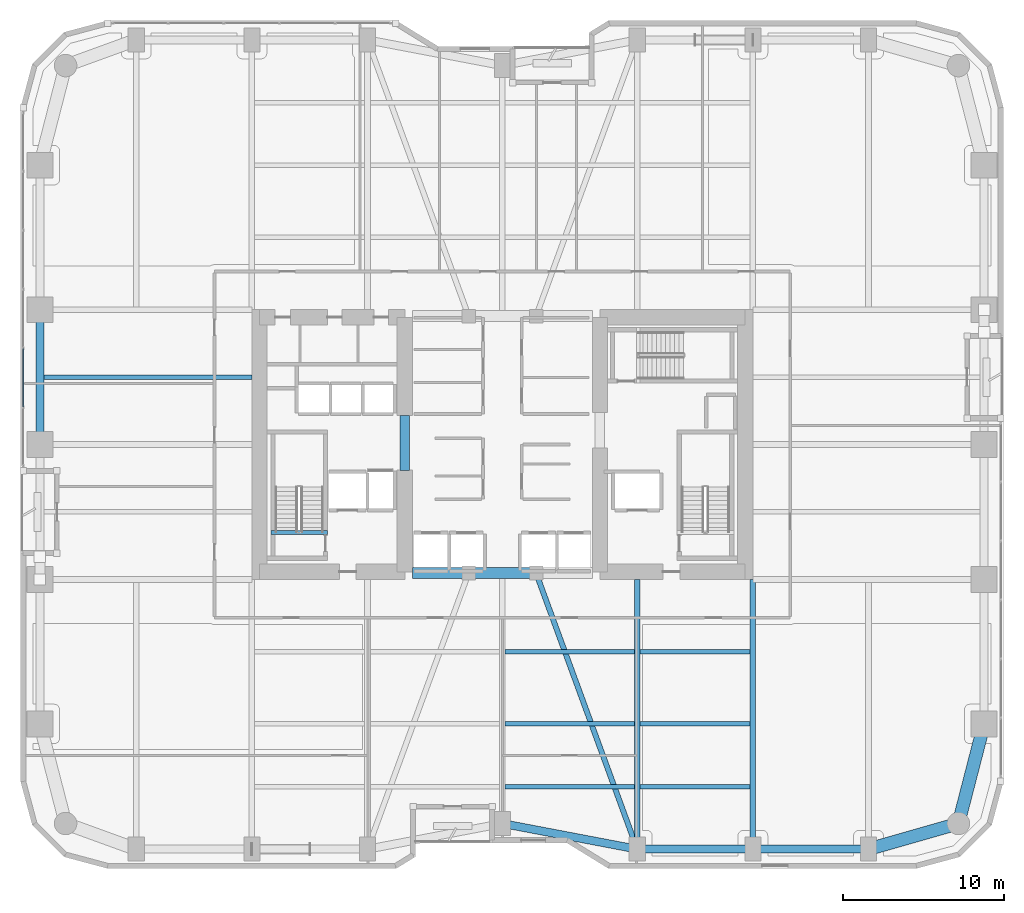
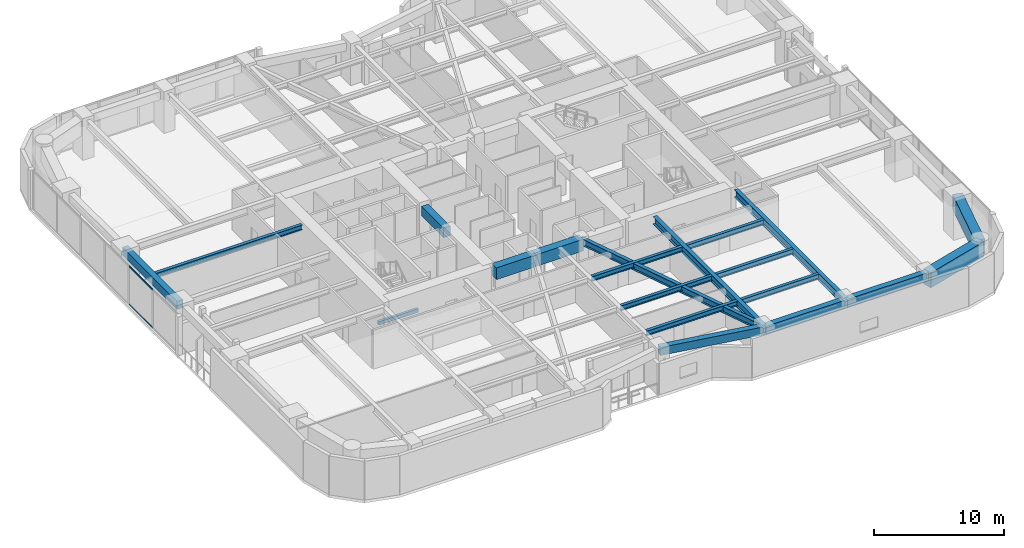
# One storey, part 3 of 28: 20 beams, 2 members, 1 element without a shape of its own.
"""IFC4 building model written with IfcOpenShell, lengths in metres."""

from ifc_helpers import new_model, si_unit, direction, frame, origin, origin_2d, place, context, subcontext, project, spatial, rectangle, hollow_rectangle, i_section, extrude, material, layer, layer_set, material_profile, profile_set, type_object, element, aggregate, save


model = new_model("IFC4")

# Units and contexts
model_context = context("Model", 3, precision=1e-05, world=origin(), true_north=direction((0.0, 1.0)))
body_context = subcontext(model_context, "Body", "Model", "MODEL_VIEW")
ifc_project = project(units=[si_unit("LENGTHUNIT", "METRE"), si_unit("AREAUNIT", "SQUARE_METRE"), si_unit("VOLUMEUNIT", "CUBIC_METRE"), si_unit("PLANEANGLEUNIT", "RADIAN"), si_unit("MASSUNIT", "GRAM", prefix="KILO")], contexts=[model_context])

# Site, building, storey
site_placement = place(None, origin())
site = spatial("IfcSite", under=ifc_project, at=site_placement, CompositionType="ELEMENT")
building_placement = place(site_placement, origin())
building = spatial("IfcBuilding", under=site, at=building_placement, Name="Kiyonajd Concourse Tower", CompositionType="ELEMENT")
storey_placement = place(building_placement, frame((0.0, 0.0, 41.10009765625)))
storey = spatial("IfcBuildingStorey", under=building, at=storey_placement, Name="L11", CompositionType="ELEMENT", Elevation=41.10009765625)

# Beams
ifc_material_1 = material(Name="Concrete C70/85", Category="concrete")
ifc_material_profile_1 = material_profile(ifc_material_1, rectangle(XDim=0.699951171875, YDim=1.10009765625, at=origin_2d()), Name="RCBM-700x1100")
ifc_profile_set_1 = profile_set([ifc_material_profile_1], Name="Concrete C70/85")
beam_type_1 = type_object("IfcBeamType", Name="BM-COUP-1100", PredefinedType="LINTEL", material=ifc_profile_set_1)
beam_1_placement = place(storey_placement, frame((42.39990234375, 28.0, 3.08984375), z_axis=(1.0, 0.0, 0.0), x_axis=(0.0, 1.0, 0.0)))
element("IfcBeam", 1, at=beam_1_placement, inside=storey, type_object=beam_type_1, Name="L11 Core Coupling Beam S1", PredefinedType="LINTEL", context=body_context, shape_type="SweptSolid", body=[
    extrude(rectangle(XDim=0.699951171875, YDim=1.10009765625, at=origin_2d()), origin(), (0.0, 0.0, 1.0), 3.5),
])
beam_2_placement = place(storey_placement, frame((45.89990234375, 28.0, 3.08984375), z_axis=(1.0, 0.0, 0.0), x_axis=(0.0, 1.0, 0.0)))
element("IfcBeam", 2, at=beam_2_placement, inside=storey, type_object=beam_type_1, Name="L11 Core Coupling Beam S2", PredefinedType="LINTEL", context=body_context, shape_type="SweptSolid", body=[
    extrude(rectangle(XDim=0.699951171875, YDim=1.10009765625, at=origin_2d()), origin(), (0.0, 0.0, 1.0), 4.2001953125),
])
ifc_material_2 = material(Name="Concrete C60/75", Category="concrete")
ifc_material_profile_2 = material_profile(ifc_material_2, rectangle(XDim=0.60009765625, YDim=0.89990234375, at=origin_2d()), Name="RCBM-600x900")
ifc_profile_set_2 = profile_set([ifc_material_profile_2], Name="Concrete C60/75")
beam_type_2 = type_object("IfcBeamType", Name="BM-COUP-900", PredefinedType="LINTEL", material=ifc_profile_set_2)
beam_3_placement = place(storey_placement, frame((41.925048828125, 34.39990234375, 3.08984375), z_axis=(0.0, 1.0, 0.0), x_axis=(-1.0, 0.0, 0.0)))
element("IfcBeam", 3, at=beam_3_placement, inside=storey, type_object=beam_type_2, Name="L11 West Core Throat Coupling Lintel", PredefinedType="LINTEL", context=body_context, shape_type="SweptSolid", body=[
    extrude(rectangle(XDim=0.60009765625, YDim=0.89990234375, at=origin_2d()), origin(), (0.0, 0.0, 1.0), 3.400146484375),
])
ifc_material_3 = material(Name="Steel ASTM A992 Grade 50", Category="steel")
ifc_material_profile_3 = material_profile(ifc_material_3, i_section(OverallWidth=0.280029296875, OverallDepth=0.462890625, WebThickness=0.0107421875, FlangeThickness=0.017333984375, at=origin_2d()), Name="W460X113")
ifc_profile_set_3 = profile_set([ifc_material_profile_3], Name="Steel ASTM A992 Grade 50")
beam_type_3 = type_object("IfcBeamType", Name="BM-JST-460A", PredefinedType="JOIST", material=ifc_profile_set_3)
beam_4_placement = place(storey_placement, frame((48.177490234375, 14.699951171875, 3.408447265625), z_axis=(1.0, 0.0, 0.0), x_axis=(0.0, 1.0, 0.0)))
element("IfcBeam", 4, at=beam_4_placement, inside=storey, type_object=beam_type_3, Name="L11 Secondary Floor Joist", PredefinedType="JOIST", context=body_context, shape_type="SweptSolid", body=[
    extrude(i_section(OverallWidth=0.280029296875, OverallDepth=0.462890625, WebThickness=0.0107421875, FlangeThickness=0.017333984375, at=origin_2d()), origin(), (0.0, 0.0, 1.0), 8.044921875),
])
beam_5_placement = place(storey_placement, frame((56.577392578125, 14.699951171875, 3.408447265625), z_axis=(1.0, 0.0, 0.0), x_axis=(0.0, 1.0, 0.0)))
element("IfcBeam", 5, at=beam_5_placement, inside=storey, type_object=beam_type_3, Name="L11 Secondary Floor Joist", PredefinedType="JOIST", context=body_context, shape_type="SweptSolid", body=[
    extrude(i_section(OverallWidth=0.280029296875, OverallDepth=0.462890625, WebThickness=0.0107421875, FlangeThickness=0.017333984375, at=origin_2d()), origin(), (0.0, 0.0, 1.0), 6.84521484375),
])
beam_6_placement = place(storey_placement, frame((48.177490234375, 18.60009765625, 3.408447265625), z_axis=(1.0, 0.0, 0.0), x_axis=(0.0, 1.0, 0.0)))
element("IfcBeam", 6, at=beam_6_placement, inside=storey, type_object=beam_type_3, Name="L11 Secondary Floor Joist", PredefinedType="JOIST", context=body_context, shape_type="SweptSolid", body=[
    extrude(i_section(OverallWidth=0.280029296875, OverallDepth=0.462890625, WebThickness=0.0107421875, FlangeThickness=0.017333984375, at=origin_2d()), origin(), (0.0, 0.0, 1.0), 8.044921875),
])
beam_7_placement = place(storey_placement, frame((56.577392578125, 18.60009765625, 3.408447265625), z_axis=(1.0, 0.0, 0.0), x_axis=(0.0, 1.0, 0.0)))
element("IfcBeam", 7, at=beam_7_placement, inside=storey, type_object=beam_type_3, Name="L11 Secondary Floor Joist", PredefinedType="JOIST", context=body_context, shape_type="SweptSolid", body=[
    extrude(i_section(OverallWidth=0.280029296875, OverallDepth=0.462890625, WebThickness=0.0107421875, FlangeThickness=0.017333984375, at=origin_2d()), origin(), (0.0, 0.0, 1.0), 6.84521484375),
])
beam_8_placement = place(storey_placement, frame((48.177490234375, 23.10009765625, 3.408447265625), z_axis=(1.0, 0.0, 0.0), x_axis=(0.0, 1.0, 0.0)))
element("IfcBeam", 8, at=beam_8_placement, inside=storey, type_object=beam_type_3, Name="L11 Secondary Floor Joist", PredefinedType="JOIST", context=body_context, shape_type="SweptSolid", body=[
    extrude(i_section(OverallWidth=0.280029296875, OverallDepth=0.462890625, WebThickness=0.0107421875, FlangeThickness=0.017333984375, at=origin_2d()), origin(), (0.0, 0.0, 1.0), 8.044921875),
])
beam_9_placement = place(storey_placement, frame((56.577392578125, 23.10009765625, 3.408447265625), z_axis=(1.0, 0.0, 0.0), x_axis=(0.0, 1.0, 0.0)))
element("IfcBeam", 9, at=beam_9_placement, inside=storey, type_object=beam_type_3, Name="L11 Secondary Floor Joist", PredefinedType="JOIST", context=body_context, shape_type="SweptSolid", body=[
    extrude(i_section(OverallWidth=0.280029296875, OverallDepth=0.462890625, WebThickness=0.0107421875, FlangeThickness=0.017333984375, at=origin_2d()), origin(), (0.0, 0.0, 1.0), 6.84521484375),
])
beam_10_placement = place(storey_placement, frame((19.449951171875, 40.199951171875, 3.408447265625), z_axis=(1.0, 0.0, 0.0), x_axis=(0.0, 1.0, 0.0)))
element("IfcBeam", 10, at=beam_10_placement, inside=storey, type_object=beam_type_3, Name="L11 West Secondary Floor Joist", PredefinedType="JOIST", context=body_context, shape_type="SweptSolid", body=[
    extrude(i_section(OverallWidth=0.280029296875, OverallDepth=0.462890625, WebThickness=0.0107421875, FlangeThickness=0.017333984375, at=origin_2d()), origin(), (0.0, 0.0, 1.0), 12.949951171875),
])
ifc_material_4 = material(Name="Concrete C50/60", Category="concrete")
ifc_material_profile_4 = material_profile(ifc_material_4, rectangle(XDim=0.239990234375, YDim=0.320068359375, at=origin_2d()), Name="RCBM-240x320")
ifc_profile_set_4 = profile_set([ifc_material_profile_4], Name="Concrete C50/60")
beam_type_4 = type_object("IfcBeamType", Name="BM-LNT-250", PredefinedType="LINTEL", material=ifc_profile_set_4)
beam_11_placement = place(storey_placement, frame((33.590087890625, 30.530029296875, -0.16015625), z_axis=(1.0, 0.0, 0.0), x_axis=(0.0, 1.0, 0.0)))
element("IfcBeam", 11, at=beam_11_placement, inside=storey, type_object=beam_type_4, Name="L11 Stair ST1 Threshold Support Beam", PredefinedType="LINTEL", context=body_context, shape_type="SweptSolid", body=[
    extrude(rectangle(XDim=0.239990234375, YDim=0.320068359375, at=origin_2d()), origin(), (0.0, 0.0, 1.0), 3.52001953125),
])
ifc_material_5 = material(Name="Precast concrete C50/60", Category="concrete")
ifc_material_profile_5 = material_profile(ifc_material_5, rectangle(XDim=0.5, YDim=0.75, at=origin_2d()), Name="RCBM-500x750")
ifc_profile_set_5 = profile_set([ifc_material_profile_5], Name="Precast concrete C50/60")
beam_type_5 = type_object("IfcBeamType", Name="BM-SPAN-RC", PredefinedType="SPANDREL", material=ifc_profile_set_5)
beam_12_placement = place(storey_placement, frame((48.0, 12.39990234375, 3.264892578125), z_axis=(0.982341315253, -0.187097675953, 0.0), x_axis=(0.187097675953, 0.982341315253, 0.0)))
element("IfcBeam", 12, at=beam_12_placement, inside=storey, type_object=beam_type_5, Name="L11 Perimeter Bundled Tube Spandrel", PredefinedType="SPANDREL", context=body_context, shape_type="SweptSolid", body=[
    extrude(rectangle(XDim=0.5, YDim=0.75, at=origin_2d()), origin(), (0.0, 0.0, 1.0), 8.55078125),
])
beam_13_placement = place(storey_placement, frame((56.39990234375, 10.800048828125, 3.264892578125), z_axis=(1.0, 0.0, 0.0), x_axis=(0.0, 1.0, 0.0)))
element("IfcBeam", 13, at=beam_13_placement, inside=storey, type_object=beam_type_5, Name="L11 Perimeter Bundled Tube Spandrel", PredefinedType="SPANDREL", context=body_context, shape_type="SweptSolid", body=[
    extrude(rectangle(XDim=0.5, YDim=0.75, at=origin_2d()), origin(), (0.0, 0.0, 1.0), 7.2001953125),
])
beam_14_placement = place(storey_placement, frame((63.60009765625, 10.800048828125, 3.264892578125), z_axis=(1.0, 0.0, 0.0), x_axis=(0.0, 1.0, 0.0)))
element("IfcBeam", 14, at=beam_14_placement, inside=storey, type_object=beam_type_5, Name="L11 Perimeter Bundled Tube Spandrel", PredefinedType="SPANDREL", context=body_context, shape_type="SweptSolid", body=[
    extrude(rectangle(XDim=0.5, YDim=0.75, at=origin_2d()), origin(), (0.0, 0.0, 1.0), 7.199951171875),
])
beam_15_placement = place(storey_placement, frame((19.199951171875, 44.39990234375, 3.264892578125), z_axis=(0.0, -1.0, 0.0), x_axis=(1.0, 0.0, 0.0)))
element("IfcBeam", 15, at=beam_15_placement, inside=storey, type_object=beam_type_5, Name="L11 Perimeter Bundled Tube Spandrel", PredefinedType="SPANDREL", context=body_context, shape_type="SweptSolid", body=[
    extrude(rectangle(XDim=0.5, YDim=0.75, at=origin_2d()), origin(), (0.0, 0.0, 1.0), 8.39990234375),
])
ifc_material_profile_6 = material_profile(ifc_material_3, i_section(OverallWidth=0.326904296875, OverallDepth=0.6220703125, WebThickness=0.015380859375, FlangeThickness=0.0244140625, at=origin_2d()), Name="W610X195")
ifc_profile_set_6 = profile_set([ifc_material_profile_6], Name="Steel ASTM A992 Grade 50")
beam_type_6 = type_object("IfcBeamType", Name="BM-TWR-610A", PredefinedType="BEAM", material=ifc_profile_set_6)
beam_16_placement = place(storey_placement, frame((50.10009765625, 28.0, 3.328857421875), z_axis=(0.343925269715, -0.938997022813, 0.0), x_axis=(0.938997022813, 0.343925269715, 0.0)))
element("IfcBeam", 16, at=beam_16_placement, inside=storey, type_object=beam_type_6, Name="L11 Core Tie Girder", PredefinedType="BEAM", context=body_context, shape_type="SweptSolid", body=[
    extrude(i_section(OverallWidth=0.326904296875, OverallDepth=0.6220703125, WebThickness=0.015380859375, FlangeThickness=0.0244140625, at=origin_2d()), origin(), (0.0, 0.0, 1.0), 18.3173828125),
])
ifc_material_profile_7 = material_profile(ifc_material_3, i_section(OverallWidth=0.35498046875, OverallDepth=0.695068359375, WebThickness=0.015380859375, FlangeThickness=0.02490234375, at=origin_2d()), Name="W690X217")
ifc_profile_set_7 = profile_set([ifc_material_profile_7], Name="Steel ASTM A992 Grade 50")
beam_type_7 = type_object("IfcBeamType", Name="BM-TWR-690", PredefinedType="BEAM", material=ifc_profile_set_7)
for number, where, z_axis, x_axis, name in (
    (17, (56.39990234375, 10.800048828125, 3.29248046875), (0.0, 1.0, 0.0), (-1.0, 0.0, 0.0), "L11 South Lease Girder"),
    (18, (63.60009765625, 10.800048828125, 3.29248046875), (0.0, 1.0, 0.0), (-1.0, 0.0, 0.0), "L11 South Lease Girder"),
):
    element("IfcBeam", number, at=place(storey_placement, frame(where, z_axis=z_axis, x_axis=x_axis)), inside=storey, type_object=beam_type_7, Name=name, PredefinedType="BEAM", context=body_context, shape_type="SweptSolid", body=[
        extrude(i_section(OverallWidth=0.35498046875, OverallDepth=0.695068359375, WebThickness=0.015380859375, FlangeThickness=0.02490234375, at=origin_2d()), origin(), (0.0, 0.0, 1.0), 16.800048828125),
    ])
ifc_material_profile_8 = material_profile(ifc_material_2, rectangle(XDim=0.800048828125, YDim=1.39990234375, at=origin_2d()), Name="RCBM-800x1400")
ifc_profile_set_8 = profile_set([ifc_material_profile_8], Name="Concrete C60/75")
beam_type_8 = type_object("IfcBeamType", Name="BM-XFER-RC", PredefinedType="BEAM", material=ifc_profile_set_8)
beam_17_placement = place(storey_placement, frame((70.800048828125, 10.800048828125, 2.93994140625), z_axis=(0.961528693205, 0.274704517878, 0.0), x_axis=(-0.274704517878, 0.961528693205, 0.0)))
element("IfcBeam", 19, at=beam_17_placement, inside=storey, type_object=beam_type_8, Name="L11 Perimeter Bundled Tube Spandrel", PredefinedType="BEAM", context=body_context, shape_type="SweptSolid", body=[
    extrude(rectangle(XDim=0.800048828125, YDim=1.39990234375, at=origin_2d()), origin(), (0.0, 0.0, 1.0), 5.823974609375),
])
beam_18_placement = place(storey_placement, frame((76.39990234375, 12.39990234375, 2.93994140625), z_axis=(0.249884937687, 0.968275538221, 0.0), x_axis=(-0.968275538221, 0.249884937687, 0.0)))
element("IfcBeam", 20, at=beam_18_placement, inside=storey, type_object=beam_type_8, Name="L11 Perimeter Bundled Tube Spandrel", PredefinedType="BEAM", context=body_context, shape_type="SweptSolid", body=[
    extrude(rectangle(XDim=0.800048828125, YDim=1.39990234375, at=origin_2d()), origin(), (0.0, 0.0, 1.0), 6.4033203125),
])

# Curtain wall, members
ifc_material_6 = material(Name="Thermally Broken Anodised Aluminium", Category="aluminium")
ifc_layer = layer(ifc_material_6, 0.179931640625)
ifc_layer_set = layer_set([ifc_layer], Name="Thermally Broken Anodised Aluminium")
curtain_wall_type = type_object("IfcCurtainWallType", Name="CW-SYS-02", PredefinedType="NOTDEFINED", material=ifc_layer_set)
curtain_wall_placement = place(storey_placement, origin())
curtain_wall = element("IfcCurtainWall", 21, at=curtain_wall_placement, inside=storey, type_object=curtain_wall_type, Name="L11 Unitised Curtain Wall CW2", PredefinedType="NOTDEFINED")
ifc_material_profile_9 = material_profile(ifc_material_6, hollow_rectangle(XDim=0.06494140625, YDim=0.139892578125, WallThickness=0.00390625, at=origin_2d()), Name="TRAN-65x140")
ifc_profile_set_9 = profile_set([ifc_material_profile_9], Name="Thermally Broken Anodised Aluminium")
member_type = type_object("IfcMemberType", Name="MB-CW-TRAN1", PredefinedType="USERDEFINED", material=ifc_profile_set_9)
member_1_placement = place(storey_placement, frame((18.159912109375, 38.355712890625, 0.032470703125), z_axis=(0.0, 1.0, 0.0), x_axis=(-1.0, 0.0, 0.0)))
member_1 = element("IfcMember", 22, at=member_1_placement, type_object=member_type, Name="CW2 transom 2.1", ObjectType="TRANSOM", PredefinedType="USERDEFINED", context=body_context, shape_type="SweptSolid", body=[
    extrude(hollow_rectangle(XDim=0.06494140625, YDim=0.139892578125, WallThickness=0.00390625, at=origin_2d()), origin(), (0.0, 0.0, 1.0), 3.608154296875),
])
member_2_placement = place(storey_placement, frame((18.159912109375, 38.355712890625, 3.607421875), z_axis=(0.0, 1.0, 0.0), x_axis=(-1.0, 0.0, 0.0)))
member_2 = element("IfcMember", 23, at=member_2_placement, type_object=member_type, Name="CW2 transom 2.2", ObjectType="TRANSOM", PredefinedType="USERDEFINED", context=body_context, shape_type="SweptSolid", body=[
    extrude(hollow_rectangle(XDim=0.06494140625, YDim=0.139892578125, WallThickness=0.00390625, at=origin_2d()), origin(), (0.0, 0.0, 1.0), 3.608154296875),
])
aggregate(curtain_wall, [member_1, member_2])

save(model, "model.ifc")
